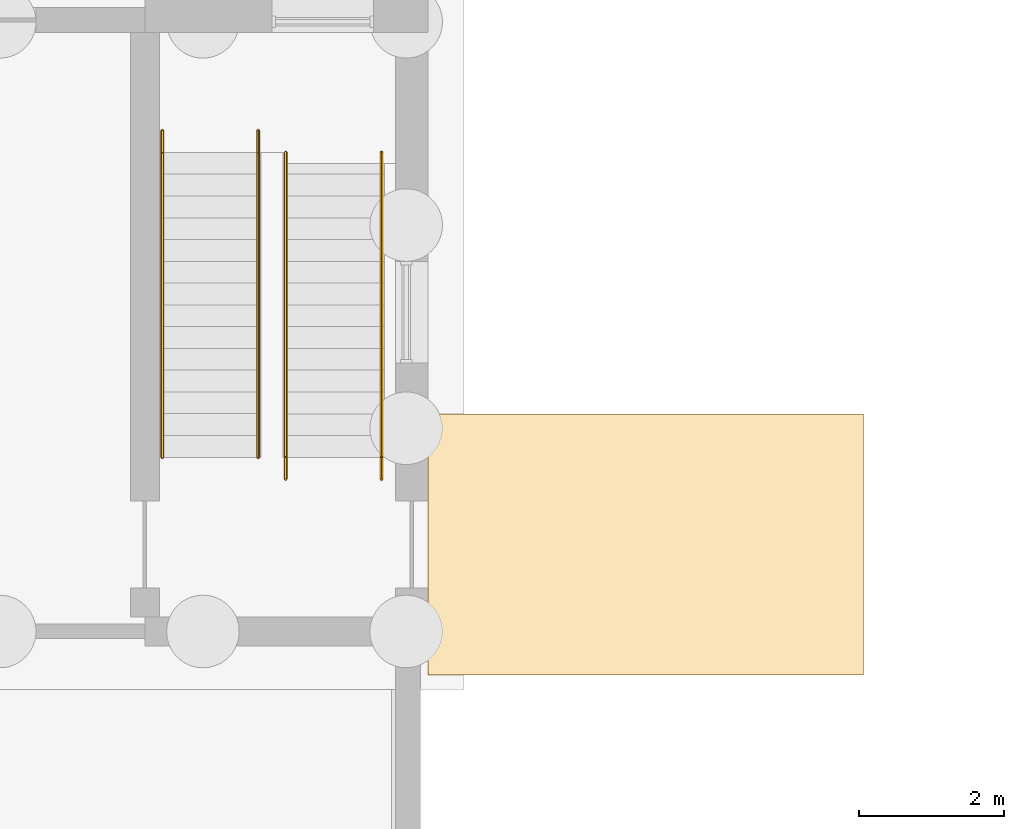
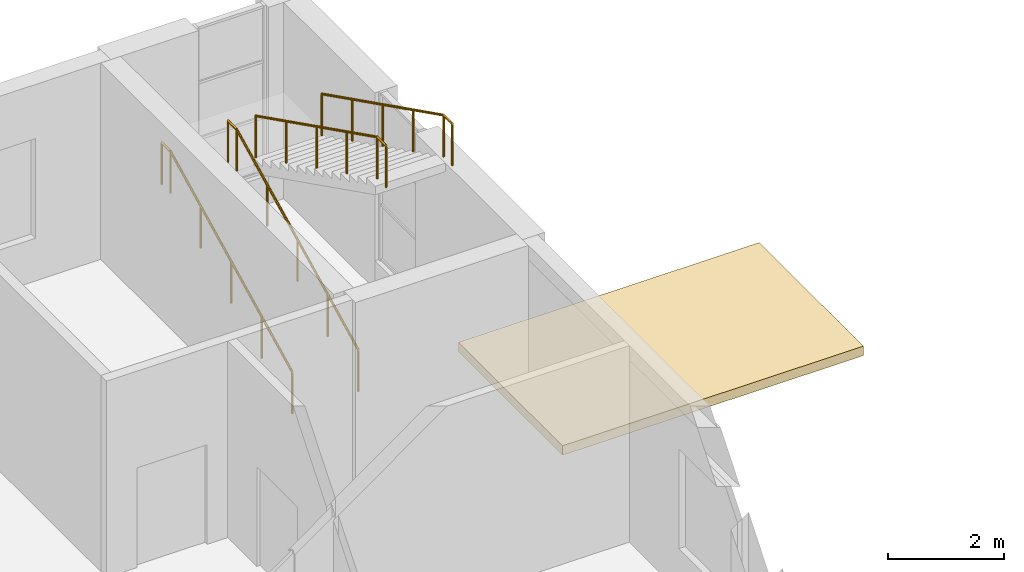
# One storey, part 137 of 138: 4 railings, 1 covering.
"""IFC4 building model written with IfcOpenShell, lengths in metres."""

from ifc_helpers import new_model, si_unit, direction, frame, origin, origin_2d, place, context, subcontext, project, spatial, polyline, circle, outline, extrude, material, layer, layer_set, type_object, element, save


model = new_model("IFC4")

# Units and contexts
model_context = context("Model", 3, precision=1e-05, world=origin(), true_north=direction((0.0, 1.0)))
body_context = subcontext(model_context, "Body", "Model", "MODEL_VIEW")
ifc_project = project(units=[si_unit("LENGTHUNIT", "METRE"), si_unit("AREAUNIT", "SQUARE_METRE"), si_unit("VOLUMEUNIT", "CUBIC_METRE"), si_unit("PLANEANGLEUNIT", "RADIAN"), si_unit("MASSUNIT", "GRAM", prefix="KILO")], contexts=[model_context])

# Site, building, storey
site_placement = place(None, origin())
site = spatial("IfcSite", under=ifc_project, at=site_placement, CompositionType="ELEMENT")
building_placement = place(site_placement, origin())
building = spatial("IfcBuilding", under=site, at=building_placement, Name="Yavir Park General Hospital", CompositionType="ELEMENT")
storey_placement = place(building_placement, origin())
storey = spatial("IfcBuildingStorey", under=building, at=storey_placement, Name="L00", CompositionType="ELEMENT", Elevation=0.0)

# Covering
ifc_material_1 = material(Name="Precast paving flags on a compacted sub-base", Category="concrete")
ifc_layer = layer(ifc_material_1, 0.199951171875)
ifc_layer_set = layer_set([ifc_layer], Name="Precast paving flags on a compacted sub-base")
covering_type = type_object("IfcCoveringType", Name="External paving 200", PredefinedType="FLOORING", material=ifc_layer_set)
covering_placement = place(storey_placement, frame((0.0, 0.0, -0.199951171875)))
element("IfcCovering", 1, at=covering_placement, inside=storey, type_object=covering_type, Name="Entrance paving east 3", PredefinedType="FLOORING", context=body_context, shape_type="SweptSolid", body=[
    extrude(outline(polyline([(174.300048828125, 108.60009765625), (168.300048828125, 108.60009765625), (168.300048828125, 112.199951171875), (174.300048828125, 112.199951171875), (174.300048828125, 108.60009765625)])), origin(), (0.0, 0.0, 1.0), 0.199951171875),
])

# Railings
ifc_material_2 = material(Name="Stainless steel tube 48 mm", Category="steel")
railing_type = type_object("IfcRailingType", Name="Stair handrail, steel tube, 900 mm above the nosings", PredefinedType="HANDRAIL", material=ifc_material_2)
for number, where, name in (
    (2, (164.639892578125, 111.60009765625, 0.14990234375), "Handrail ES3 L00 1"),
    (3, (165.9599609375, 111.60009765625, 0.14990234375), "Handrail ES3 L00 2"),
):
    element("IfcRailing", number, at=place(storey_placement, frame(where)), inside=storey, type_object=railing_type, Name=name, PredefinedType="HANDRAIL", context=body_context, shape_type="SweptSolid", body=[
        extrude(circle(Radius=0.02392578125, at=origin_2d()), frame((0.0, 0.0, 0.8759765625), z_axis=(0.0, 0.894416792377, 0.447234392142), x_axis=(-1.0, 0.0, 0.0)), (0.0, 0.0, 1.0), 4.69580078125),
        extrude(circle(Radius=0.02392578125, at=origin_2d()), frame((0.0, 4.199951171875, 2.97607421875), z_axis=(0.0, 1.0, 0.0), x_axis=(-1.0, 0.0, 0.0)), (0.0, 0.0, 1.0), 0.300048828125),
        extrude(circle(Radius=0.02099609375, at=origin_2d()), origin(), (0.0, 0.0, 1.0), 0.851806640625),
        extrude(circle(Radius=0.02099609375, at=origin_2d()), frame((0.0, 1.050048828125, 0.52490234375)), (0.0, 0.0, 1.0), 0.851806640625),
        extrude(circle(Radius=0.02099609375, at=origin_2d()), frame((0.0, 2.10009765625, 1.050048828125)), (0.0, 0.0, 1.0), 0.851806640625),
        extrude(circle(Radius=0.02099609375, at=origin_2d()), frame((0.0, 3.14990234375, 1.5751953125)), (0.0, 0.0, 1.0), 0.851806640625),
        extrude(circle(Radius=0.02099609375, at=origin_2d()), frame((0.0, 4.199951171875, 2.10009765625)), (0.0, 0.0, 1.0), 0.851806640625),
        extrude(circle(Radius=0.02099609375, at=origin_2d()), frame((0.0, 4.5, 2.10009765625)), (0.0, 0.0, 1.0), 0.851806640625),
    ])
for number, where, name in (
    (4, (167.659912109375, 115.800048828125, 2.39990234375), "Handrail ES3 L00 3"),
    (5, (166.340087890625, 115.800048828125, 2.39990234375), "Handrail ES3 L00 4"),
):
    element("IfcRailing", number, at=place(storey_placement, frame(where)), inside=storey, type_object=railing_type, Name=name, PredefinedType="HANDRAIL", context=body_context, shape_type="SweptSolid", body=[
        extrude(circle(Radius=0.02392578125, at=origin_2d()), frame((0.0, 0.0, 0.8759765625), z_axis=(0.0, -0.894416792377, 0.447234392142), x_axis=(1.0, 0.0, 0.0)), (0.0, 0.0, 1.0), 4.69580078125),
        extrude(circle(Radius=0.02392578125, at=origin_2d()), frame((0.0, -4.199951171875, 2.97607421875), z_axis=(0.0, -1.0, 0.0), x_axis=(1.0, 0.0, 0.0)), (0.0, 0.0, 1.0), 0.300048828125),
        extrude(circle(Radius=0.02099609375, at=origin_2d()), origin(), (0.0, 0.0, 1.0), 0.851806640625),
        extrude(circle(Radius=0.02099609375, at=origin_2d()), frame((0.0, -1.050048828125, 0.52490234375)), (0.0, 0.0, 1.0), 0.851806640625),
        extrude(circle(Radius=0.02099609375, at=origin_2d()), frame((0.0, -2.10009765625, 1.050048828125)), (0.0, 0.0, 1.0), 0.851806640625),
        extrude(circle(Radius=0.02099609375, at=origin_2d()), frame((0.0, -3.14990234375, 1.5751953125)), (0.0, 0.0, 1.0), 0.851806640625),
        extrude(circle(Radius=0.02099609375, at=origin_2d()), frame((0.0, -4.199951171875, 2.10009765625)), (0.0, 0.0, 1.0), 0.851806640625),
        extrude(circle(Radius=0.02099609375, at=origin_2d()), frame((0.0, -4.5, 2.10009765625)), (0.0, 0.0, 1.0), 0.851806640625),
    ])

save(model, "model.ifc")
